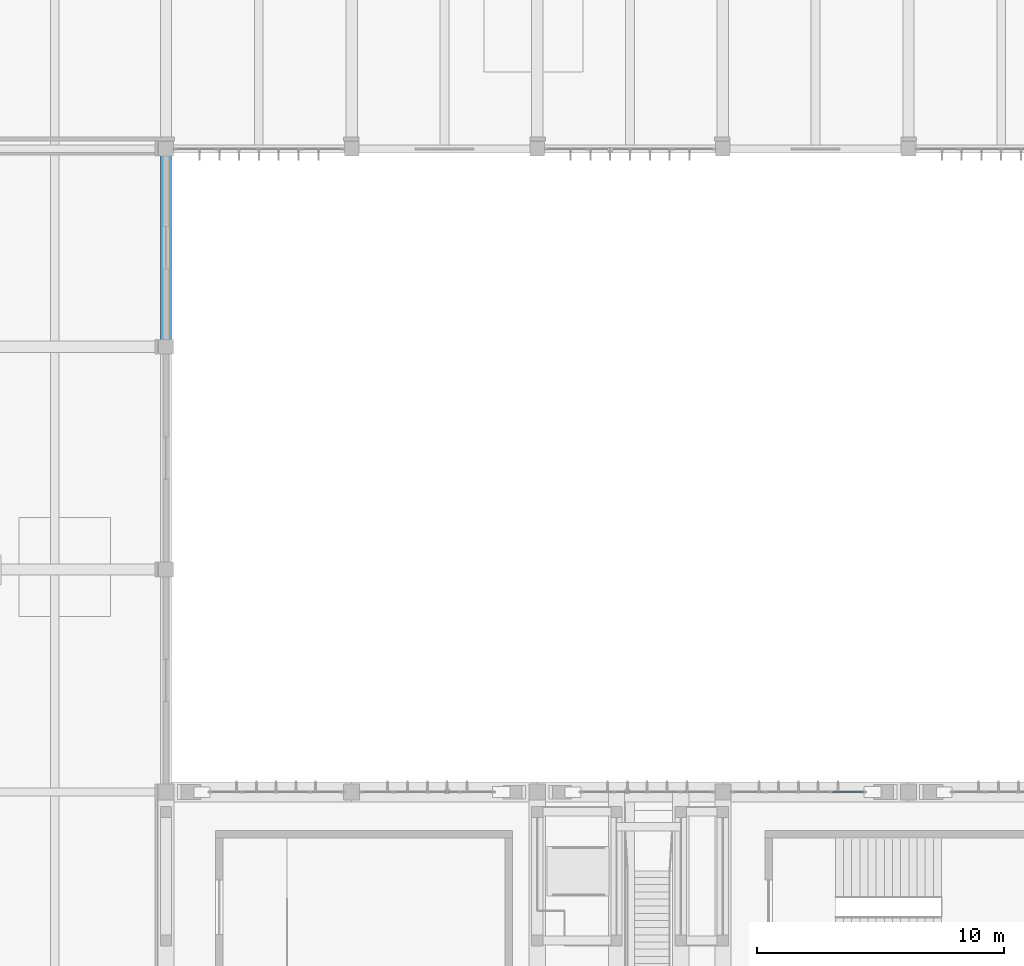
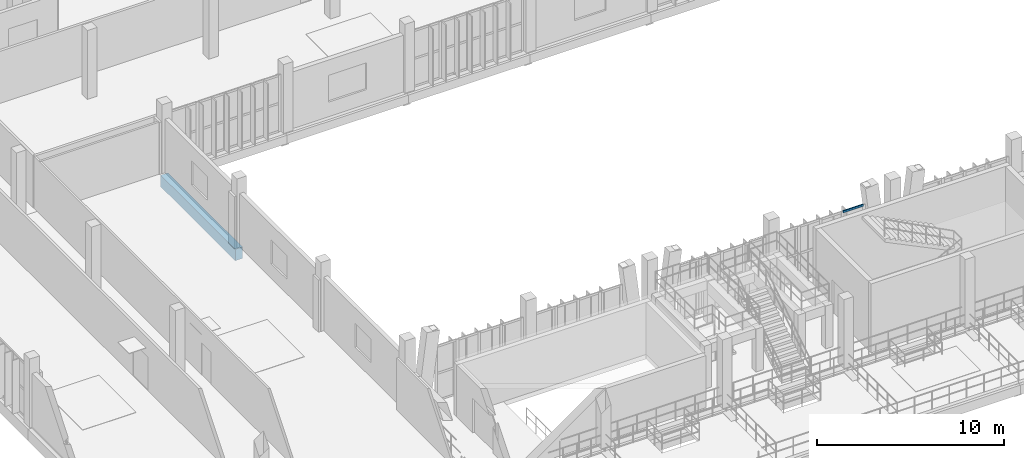
# One storey, part 12 of 81: 1 beam, 1 member, 1 element without a shape of its own.
"""IFC4 building model written with IfcOpenShell, lengths in metres."""

from ifc_helpers import new_model, si_unit, direction, frame, origin, origin_2d, place, context, subcontext, project, spatial, rectangle, extrude, material, material_profile, profile_set, type_object, element, aggregate, save


model = new_model("IFC4")

# Units and contexts
model_context = context("Model", 3, precision=1e-05, world=origin(), true_north=direction((0.0, 1.0)))
body_context = subcontext(model_context, "Body", "Model", "MODEL_VIEW")
ifc_project = project(units=[si_unit("LENGTHUNIT", "METRE"), si_unit("AREAUNIT", "SQUARE_METRE"), si_unit("VOLUMEUNIT", "CUBIC_METRE"), si_unit("PLANEANGLEUNIT", "RADIAN"), si_unit("MASSUNIT", "GRAM", prefix="KILO")], contexts=[model_context])

# Site, building, storey
site_placement = place(None, origin())
site = spatial("IfcSite", under=ifc_project, at=site_placement, CompositionType="ELEMENT")
building_placement = place(site_placement, origin())
building = spatial("IfcBuilding", under=site, at=building_placement, Name="Vourika Railside Aquatics Centre", CompositionType="ELEMENT")
storey_placement = place(building_placement, frame((0.0, 0.0, 4.800048828125)))
storey = spatial("IfcBuildingStorey", under=building, at=storey_placement, Name="L01", CompositionType="ELEMENT", Elevation=4.800048828125)

# Beam
ifc_material_1 = material(Name="Concrete C35/45", Category="concrete")
ifc_material_profile_1 = material_profile(ifc_material_1, rectangle(XDim=0.449951171875, YDim=0.75, at=origin_2d()), Name="RC 450x750")
ifc_profile_set_1 = profile_set([ifc_material_profile_1], Name="Concrete C35/45")
beam_type = type_object("IfcBeamType", Name="BM-GIRD-450x750", PredefinedType="BEAM", material=ifc_profile_set_1)
beam_placement = place(storey_placement, frame((36.0, 84.0, -0.675048828125), z_axis=(0.0, 1.0, 0.0), x_axis=(-1.0, 0.0, 0.0)))
element("IfcBeam", 1, at=beam_placement, inside=storey, type_object=beam_type, Name="Floor Girder GY-L01-198", PredefinedType="BEAM", context=body_context, shape_type="SweptSolid", body=[
    extrude(rectangle(XDim=0.449951171875, YDim=0.75, at=origin_2d()), origin(), (0.0, 0.0, 1.0), 8.0),
])

# Curtain wall, member
ifc_material_2 = material(Name="Anodized thermally broken aluminium", Category="aluminium")
curtain_wall_type = type_object("IfcCurtainWallType", Name="CW-CRT1", PredefinedType="NOTDEFINED", material=ifc_material_2)
curtain_wall_placement = place(storey_placement, origin())
curtain_wall = element("IfcCurtainWall", 2, at=curtain_wall_placement, inside=storey, type_object=curtain_wall_type, Name="Spectator Concourse Courtyard Curtain Wall 4", PredefinedType="NOTDEFINED")
ifc_material_3 = material(Name="Anodized aluminium transom", Category="aluminium")
ifc_material_profile_2 = material_profile(ifc_material_3, rectangle(XDim=0.06591796875, YDim=0.132080078125, at=origin_2d()), Name="ALU-T 66x132")
ifc_profile_set_2 = profile_set([ifc_material_profile_2], Name="Anodized aluminium transom")
member_type = type_object("IfcMemberType", Name="CWT-CRT1", PredefinedType="USERDEFINED", material=ifc_profile_set_2)
member_placement = place(storey_placement, frame((64.18408203125, 66.0, 3.56689453125), z_axis=(-1.0, 0.0, 0.0), x_axis=(0.0, -1.0, 0.0)))
member = element("IfcMember", 3, at=member_placement, type_object=member_type, Name="CW13 transom 1.3", ObjectType="TRANSOM", PredefinedType="USERDEFINED", context=body_context, shape_type="SweptSolid", body=[
    extrude(rectangle(XDim=0.06591796875, YDim=0.132080078125, at=origin_2d()), origin(), (0.0, 0.0, 1.0), 1.24853515625),
])
aggregate(curtain_wall, [member])

save(model, "model.ifc")
